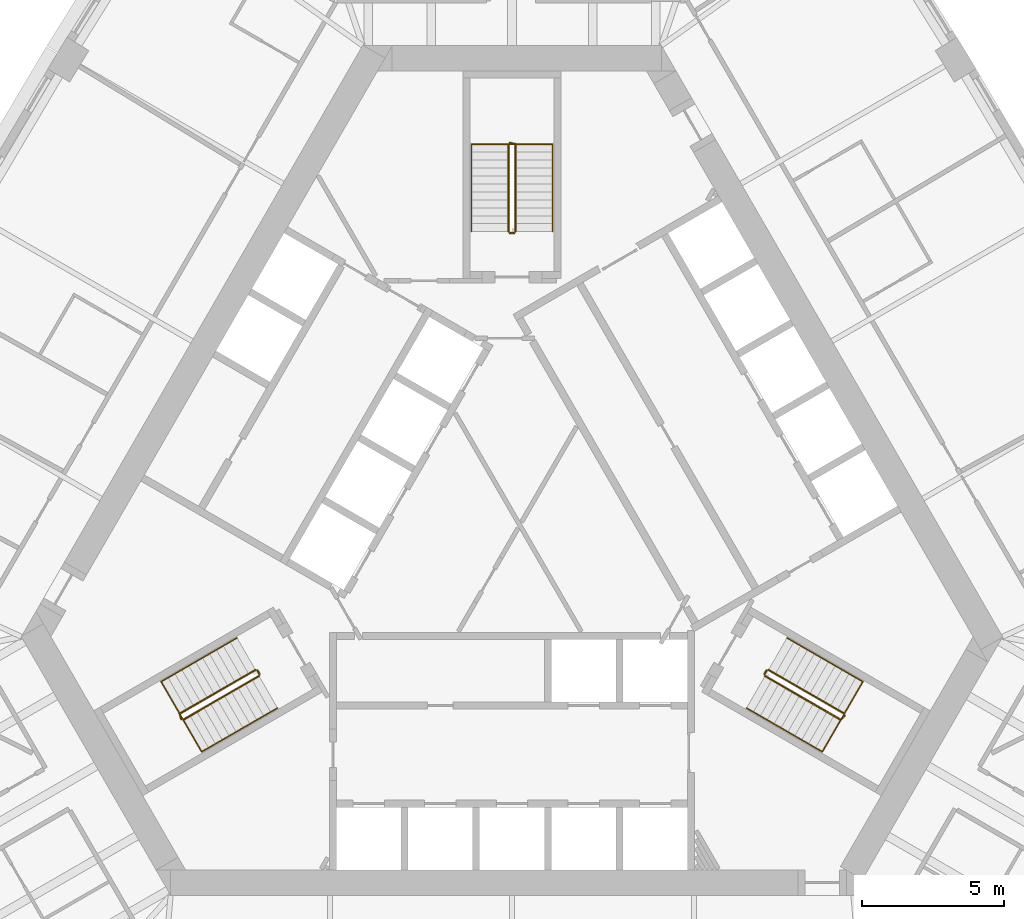
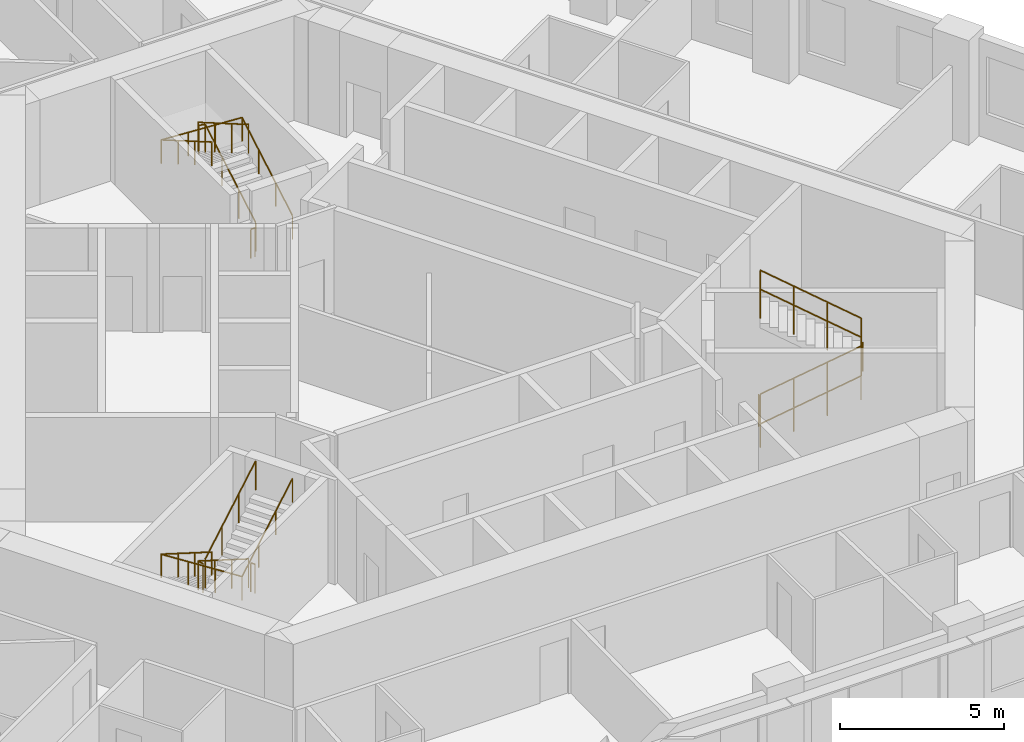
# One storey, part 12 of 12: 12 railings.
"""IFC4 building model written with IfcOpenShell, lengths in metres."""

from ifc_helpers import new_model, si_unit, direction, frame, origin, origin_2d, place, context, subcontext, project, spatial, circle, extrude, material, type_object, element, save


model = new_model("IFC4")

# Units and contexts
model_context = context("Model", 3, precision=1e-05, world=origin(), true_north=direction((0.0, 1.0)))
body_context = subcontext(model_context, "Body", "Model", "MODEL_VIEW")
ifc_project = project(units=[si_unit("LENGTHUNIT", "METRE"), si_unit("AREAUNIT", "SQUARE_METRE"), si_unit("VOLUMEUNIT", "CUBIC_METRE"), si_unit("PLANEANGLEUNIT", "RADIAN"), si_unit("MASSUNIT", "GRAM", prefix="KILO")], contexts=[model_context])

# Site, building, storey
site_placement = place(None, origin())
site = spatial("IfcSite", under=ifc_project, at=site_placement, CompositionType="ELEMENT")
building_placement = place(site_placement, origin())
building = spatial("IfcBuilding", under=site, at=building_placement, Name="Mestral Congress Tower", CompositionType="ELEMENT")
storey_placement = place(building_placement, frame((0.0, 0.0, 118.800048828125)))
storey = spatial("IfcBuildingStorey", under=building, at=storey_placement, Name="L28", CompositionType="ELEMENT", Elevation=118.800048828125)

# Railings
ifc_material_1 = material(Name="Steel balustrade", Category="steel")
railing_type_1 = type_object("IfcRailingType", Name="Stair guard 1100", PredefinedType="GUARDRAIL", material=ifc_material_1)
railing_1_placement = place(storey_placement, frame((8.90087890625, -5.283203125, 0.162353515625)))
element("IfcRailing", 1, at=railing_1_placement, inside=storey, type_object=railing_type_1, Name="L28 ST1 stair guard 1", PredefinedType="GUARDRAIL", context=body_context, shape_type="SweptSolid", body=[
    extrude(circle(Radius=0.02392578125, at=origin_2d()), frame((0.0, 0.0, 1.076171875), z_axis=(0.748993966903, -0.432462603499, 0.501980212875), x_axis=(0.500026652407, 0.866010015463, 0.0)), (0.0, 0.0, 1.0), 3.56103515625),
    extrude(circle(Radius=0.02392578125, at=origin_2d()), frame((2.667236328125, -1.5400390625, 2.86376953125), z_axis=(0.695164929852, 0.718850276695, 0.0), x_axis=(-0.718850276695, 0.695164929852, 0.0)), (0.0, 0.0, 1.0), 0.2060546875),
    extrude(circle(Radius=0.02099609375, at=origin_2d()), origin(), (0.0, 0.0, 1.0), 1.052001953125),
    extrude(circle(Radius=0.02099609375, at=origin_2d()), frame((0.88916015625, -0.513427734375, 0.595947265625)), (0.0, 0.0, 1.0), 1.052001953125),
    extrude(circle(Radius=0.02099609375, at=origin_2d()), frame((1.778076171875, -1.026611328125, 1.191650390625)), (0.0, 0.0, 1.0), 1.052001953125),
    extrude(circle(Radius=0.02099609375, at=origin_2d()), frame((2.667236328125, -1.5400390625, 1.78759765625)), (0.0, 0.0, 1.0), 1.052001953125),
    extrude(circle(Radius=0.02099609375, at=origin_2d()), frame((2.810546875, -1.391845703125, 1.78759765625)), (0.0, 0.0, 1.0), 1.052001953125),
])
railing_2_placement = place(storey_placement, frame((11.693115234375, -6.606689453125, 2.112548828125)))
element("IfcRailing", 2, at=railing_2_placement, inside=storey, type_object=railing_type_1, Name="L28 ST1 stair guard 2", PredefinedType="GUARDRAIL", context=body_context, shape_type="SweptSolid", body=[
    extrude(circle(Radius=0.02392578125, at=origin_2d()), frame((0.0, 0.0, 1.076171875), z_axis=(-0.749019742845, 0.432477486304, 0.501928927906), x_axis=(-0.500026652407, -0.866010015463, 0.0)), (0.0, 0.0, 1.0), 3.56103515625),
    extrude(circle(Radius=0.02099609375, at=origin_2d()), origin(), (0.0, 0.0, 1.0), 1.052001953125),
    extrude(circle(Radius=0.02099609375, at=origin_2d()), frame((-0.88916015625, 0.513427734375, 0.595703125)), (0.0, 0.0, 1.0), 1.052001953125),
    extrude(circle(Radius=0.02099609375, at=origin_2d()), frame((-1.778076171875, 1.026611328125, 1.191650390625)), (0.0, 0.0, 1.0), 1.052001953125),
    extrude(circle(Radius=0.02099609375, at=origin_2d()), frame((-2.667236328125, 1.5400390625, 1.787353515625)), (0.0, 0.0, 1.0), 1.052001953125),
])
railing_3_placement = place(storey_placement, frame((8.882568359375, -5.21484375, 0.0)))
element("IfcRailing", 3, at=railing_3_placement, inside=storey, type_object=railing_type_1, Name="L28 ST1 stair guard 3", PredefinedType="GUARDRAIL", context=body_context, shape_type="SweptSolid", body=[
    extrude(circle(Radius=0.02392578125, at=origin_2d()), frame((0.0, 0.0, 1.076171875), z_axis=(0.499816412211, 0.866131372301, 0.0), x_axis=(-0.866131372301, 0.499816412211, 0.0)), (0.0, 0.0, 1.0), 0.14990234375),
    extrude(circle(Radius=0.02099609375, at=origin_2d()), origin(), (0.0, 0.0, 1.0), 1.052001953125),
    extrude(circle(Radius=0.02099609375, at=origin_2d()), frame((0.074951171875, 0.1298828125, 0.0)), (0.0, 0.0, 1.0), 1.052001953125),
])
railing_4_placement = place(storey_placement, frame((0.125, 10.35009765625, 0.162353515625)))
element("IfcRailing", 4, at=railing_4_placement, inside=storey, type_object=railing_type_1, Name="L28 ST2 stair guard 1", PredefinedType="GUARDRAIL", context=body_context, shape_type="SweptSolid", body=[
    extrude(circle(Radius=0.02392578125, at=origin_2d()), frame((0.0, 0.0, 1.076171875), z_axis=(0.0, 0.864873446163, 0.501989962173), x_axis=(-1.0, 0.0, 0.0)), (0.0, 0.0, 1.0), 3.56103515625),
    extrude(circle(Radius=0.02392578125, at=origin_2d()), frame((0.0, 3.079833984375, 2.86376953125), z_axis=(-0.970072785993, 0.242814311512, 0.0), x_axis=(-0.242814311512, -0.970072785993, 0.0)), (0.0, 0.0, 1.0), 0.2060546875),
    extrude(circle(Radius=0.02099609375, at=origin_2d()), origin(), (0.0, 0.0, 1.0), 1.052001953125),
    extrude(circle(Radius=0.02099609375, at=origin_2d()), frame((0.0, 1.026611328125, 0.595947265625)), (0.0, 0.0, 1.0), 1.052001953125),
    extrude(circle(Radius=0.02099609375, at=origin_2d()), frame((0.0, 2.05322265625, 1.191650390625)), (0.0, 0.0, 1.0), 1.052001953125),
    extrude(circle(Radius=0.02099609375, at=origin_2d()), frame((0.0, 3.079833984375, 1.78759765625)), (0.0, 0.0, 1.0), 1.052001953125),
    extrude(circle(Radius=0.02099609375, at=origin_2d()), frame((-0.199951171875, 3.1298828125, 1.78759765625)), (0.0, 0.0, 1.0), 1.052001953125),
])
railing_5_placement = place(storey_placement, frame((-0.125, 13.429931640625, 2.112548828125)))
element("IfcRailing", 5, at=railing_5_placement, inside=storey, type_object=railing_type_1, Name="L28 ST2 stair guard 2", PredefinedType="GUARDRAIL", context=body_context, shape_type="SweptSolid", body=[
    extrude(circle(Radius=0.02392578125, at=origin_2d()), frame((0.0, 0.0, 1.076171875), z_axis=(0.0, -0.864903211148, 0.501938676878), x_axis=(1.0, 0.0, 0.0)), (0.0, 0.0, 1.0), 3.560791015625),
    extrude(circle(Radius=0.02099609375, at=origin_2d()), origin(), (0.0, 0.0, 1.0), 1.052001953125),
    extrude(circle(Radius=0.02099609375, at=origin_2d()), frame((0.0, -1.026611328125, 0.595703125)), (0.0, 0.0, 1.0), 1.052001953125),
    extrude(circle(Radius=0.02099609375, at=origin_2d()), frame((0.0, -2.05322265625, 1.191650390625)), (0.0, 0.0, 1.0), 1.052001953125),
    extrude(circle(Radius=0.02099609375, at=origin_2d()), frame((0.0, -3.079833984375, 1.787353515625)), (0.0, 0.0, 1.0), 1.052001953125),
])
railing_6_placement = place(storey_placement, frame((0.074951171875, 10.300048828125, 0.0)))
element("IfcRailing", 6, at=railing_6_placement, inside=storey, type_object=railing_type_1, Name="L28 ST2 stair guard 3", PredefinedType="GUARDRAIL", context=body_context, shape_type="SweptSolid", body=[
    extrude(circle(Radius=0.02392578125, at=origin_2d()), frame((0.0, 0.0, 1.076171875), z_axis=(-1.0, 0.0, 0.0), x_axis=(0.0, -1.0, 0.0)), (0.0, 0.0, 1.0), 0.14990234375),
    extrude(circle(Radius=0.02099609375, at=origin_2d()), origin(), (0.0, 0.0, 1.0), 1.052001953125),
    extrude(circle(Radius=0.02099609375, at=origin_2d()), frame((-0.14990234375, 0.0, 0.0)), (0.0, 0.0, 1.0), 1.052001953125),
])
railing_7_placement = place(storey_placement, frame((-9.02587890625, -5.066650390625, 0.162353515625)))
element("IfcRailing", 7, at=railing_7_placement, inside=storey, type_object=railing_type_1, Name="L28 ST3 stair guard 1", PredefinedType="GUARDRAIL", context=body_context, shape_type="SweptSolid", body=[
    extrude(circle(Radius=0.02392578125, at=origin_2d()), frame((0.0, 0.0, 1.076171875), z_axis=(-0.748993966903, -0.432462603499, 0.501980212875), x_axis=(0.500026652407, -0.866010015463, 0.0)), (0.0, 0.0, 1.0), 3.56103515625),
    extrude(circle(Radius=0.02392578125, at=origin_2d()), frame((-2.667236328125, -1.5400390625, 2.86376953125), z_axis=(0.274721127897, -0.961523947641, 0.0), x_axis=(0.961523947641, 0.274721127897, 0.0)), (0.0, 0.0, 1.0), 0.2060546875),
    extrude(circle(Radius=0.02099609375, at=origin_2d()), origin(), (0.0, 0.0, 1.0), 1.052001953125),
    extrude(circle(Radius=0.02099609375, at=origin_2d()), frame((-0.88916015625, -0.513427734375, 0.595947265625)), (0.0, 0.0, 1.0), 1.052001953125),
    extrude(circle(Radius=0.02099609375, at=origin_2d()), frame((-1.778076171875, -1.026611328125, 1.191650390625)), (0.0, 0.0, 1.0), 1.052001953125),
    extrude(circle(Radius=0.02099609375, at=origin_2d()), frame((-2.667236328125, -1.5400390625, 1.78759765625)), (0.0, 0.0, 1.0), 1.052001953125),
    extrude(circle(Radius=0.02099609375, at=origin_2d()), frame((-2.610595703125, -1.73828125, 1.78759765625)), (0.0, 0.0, 1.0), 1.052001953125),
])
railing_8_placement = place(storey_placement, frame((-11.568115234375, -6.8232421875, 2.112548828125)))
element("IfcRailing", 8, at=railing_8_placement, inside=storey, type_object=railing_type_1, Name="L28 ST3 stair guard 2", PredefinedType="GUARDRAIL", context=body_context, shape_type="SweptSolid", body=[
    extrude(circle(Radius=0.02392578125, at=origin_2d()), frame((0.0, 0.0, 1.076171875), z_axis=(0.749019742845, 0.432477486304, 0.501928927906), x_axis=(-0.500026652407, 0.866010015463, 0.0)), (0.0, 0.0, 1.0), 3.56103515625),
    extrude(circle(Radius=0.02099609375, at=origin_2d()), origin(), (0.0, 0.0, 1.0), 1.052001953125),
    extrude(circle(Radius=0.02099609375, at=origin_2d()), frame((0.88916015625, 0.513427734375, 0.595703125)), (0.0, 0.0, 1.0), 1.052001953125),
    extrude(circle(Radius=0.02099609375, at=origin_2d()), frame((1.778076171875, 1.026611328125, 1.191650390625)), (0.0, 0.0, 1.0), 1.052001953125),
    extrude(circle(Radius=0.02099609375, at=origin_2d()), frame((2.667236328125, 1.5400390625, 1.787353515625)), (0.0, 0.0, 1.0), 1.052001953125),
])
railing_9_placement = place(storey_placement, frame((-8.95751953125, -5.0849609375, 0.0)))
element("IfcRailing", 9, at=railing_9_placement, inside=storey, type_object=railing_type_1, Name="L28 ST3 stair guard 3", PredefinedType="GUARDRAIL", context=body_context, shape_type="SweptSolid", body=[
    extrude(circle(Radius=0.02392578125, at=origin_2d()), frame((0.0, 0.0, 1.076171875), z_axis=(0.499816412211, -0.866131372301, 0.0), x_axis=(0.866131372301, 0.499816412211, 0.0)), (0.0, 0.0, 1.0), 0.14990234375),
    extrude(circle(Radius=0.02099609375, at=origin_2d()), origin(), (0.0, 0.0, 1.0), 1.052001953125),
    extrude(circle(Radius=0.02099609375, at=origin_2d()), frame((0.074951171875, -0.1298828125, 0.0)), (0.0, 0.0, 1.0), 1.052001953125),
])
ifc_material_2 = material(Name="Steel handrail", Category="steel")
railing_type_2 = type_object("IfcRailingType", Name="Stair handrail 900", PredefinedType="HANDRAIL", material=ifc_material_2)
railing_10_placement = place(storey_placement, frame((8.2509765625, -6.4091796875, 0.162353515625)))
element("IfcRailing", 10, at=railing_10_placement, inside=storey, type_object=railing_type_2, Name="L28 ST1 stair handrail 1", PredefinedType="HANDRAIL", context=body_context, shape_type="SweptSolid", body=[
    extrude(circle(Radius=0.02392578125, at=origin_2d()), frame((0.0, 0.0, 0.8759765625), z_axis=(0.749016172816, -0.432406865167, 0.50199509541), x_axis=(0.499967199496, 0.866044340336, 0.0)), (0.0, 0.0, 1.0), 3.56103515625),
    extrude(circle(Radius=0.02392578125, at=origin_2d()), frame((2.667236328125, -1.539794921875, 2.66357421875), z_axis=(0.499224505807, 0.864598343191, 0.056961370716), x_axis=(-0.866004402611, 0.500036373335, 0.0)), (0.0, 0.0, 1.0), 2.8544921875),
    extrude(circle(Radius=0.02392578125, at=origin_2d()), frame((4.09228515625, 0.92822265625, 2.826171875), z_axis=(-0.749049836341, 0.432455278019, 0.501903153199), x_axis=(-0.499992328818, -0.866029832698, 0.0)), (0.0, 0.0, 1.0), 3.56103515625),
    extrude(circle(Radius=0.02099609375, at=origin_2d()), origin(), (0.0, 0.0, 1.0), 0.851806640625),
    extrude(circle(Radius=0.02099609375, at=origin_2d()), frame((0.88916015625, -0.51318359375, 0.595947265625)), (0.0, 0.0, 1.0), 0.851806640625),
    extrude(circle(Radius=0.02099609375, at=origin_2d()), frame((1.778076171875, -1.026611328125, 1.191650390625)), (0.0, 0.0, 1.0), 0.851806640625),
    extrude(circle(Radius=0.02099609375, at=origin_2d()), frame((2.667236328125, -1.539794921875, 1.78759765625)), (0.0, 0.0, 1.0), 0.851806640625),
    extrude(circle(Radius=0.02099609375, at=origin_2d()), frame((3.142333984375, -0.717041015625, 1.841796875)), (0.0, 0.0, 1.0), 0.851806640625),
    extrude(circle(Radius=0.02099609375, at=origin_2d()), frame((3.6171875, 0.10546875, 1.89599609375)), (0.0, 0.0, 1.0), 0.851806640625),
    extrude(circle(Radius=0.02099609375, at=origin_2d()), frame((4.09228515625, 0.92822265625, 1.9501953125)), (0.0, 0.0, 1.0), 0.851806640625),
    extrude(circle(Radius=0.02099609375, at=origin_2d()), frame((3.203125, 1.441650390625, 2.5458984375)), (0.0, 0.0, 1.0), 0.851806640625),
    extrude(circle(Radius=0.02099609375, at=origin_2d()), frame((2.31396484375, 1.954833984375, 3.141845703125)), (0.0, 0.0, 1.0), 0.851806640625),
    extrude(circle(Radius=0.02099609375, at=origin_2d()), frame((1.4248046875, 2.46826171875, 3.737548828125)), (0.0, 0.0, 1.0), 0.851806640625),
])
railing_11_placement = place(storey_placement, frame((1.425048828125, 10.35009765625, 0.162353515625)))
element("IfcRailing", 11, at=railing_11_placement, inside=storey, type_object=railing_type_2, Name="L28 ST2 stair handrail 1", PredefinedType="HANDRAIL", context=body_context, shape_type="SweptSolid", body=[
    extrude(circle(Radius=0.02392578125, at=origin_2d()), frame((0.0, 0.0, 0.8759765625), z_axis=(0.0, 0.864873446163, 0.501989962173), x_axis=(-1.0, 0.0, 0.0)), (0.0, 0.0, 1.0), 3.56103515625),
    extrude(circle(Radius=0.02392578125, at=origin_2d()), frame((0.0, 3.079833984375, 2.66357421875), z_axis=(-0.998376618682, 0.0, 0.056957240709), x_axis=(0.0, -1.0, 0.0)), (0.0, 0.0, 1.0), 2.854736328125),
    extrude(circle(Radius=0.02392578125, at=origin_2d()), frame((-2.85009765625, 3.079833984375, 2.826171875), z_axis=(0.0, -0.864903211148, 0.501938676878), x_axis=(1.0, 0.0, 0.0)), (0.0, 0.0, 1.0), 3.560791015625),
    extrude(circle(Radius=0.02099609375, at=origin_2d()), origin(), (0.0, 0.0, 1.0), 0.851806640625),
    extrude(circle(Radius=0.02099609375, at=origin_2d()), frame((0.0, 1.026611328125, 0.595947265625)), (0.0, 0.0, 1.0), 0.851806640625),
    extrude(circle(Radius=0.02099609375, at=origin_2d()), frame((0.0, 2.05322265625, 1.191650390625)), (0.0, 0.0, 1.0), 0.851806640625),
    extrude(circle(Radius=0.02099609375, at=origin_2d()), frame((0.0, 3.079833984375, 1.78759765625)), (0.0, 0.0, 1.0), 0.851806640625),
    extrude(circle(Radius=0.02099609375, at=origin_2d()), frame((-0.949951171875, 3.079833984375, 1.841796875)), (0.0, 0.0, 1.0), 0.851806640625),
    extrude(circle(Radius=0.02099609375, at=origin_2d()), frame((-1.900146484375, 3.079833984375, 1.89599609375)), (0.0, 0.0, 1.0), 0.851806640625),
    extrude(circle(Radius=0.02099609375, at=origin_2d()), frame((-2.85009765625, 3.079833984375, 1.9501953125)), (0.0, 0.0, 1.0), 0.851806640625),
    extrude(circle(Radius=0.02099609375, at=origin_2d()), frame((-2.85009765625, 2.05322265625, 2.5458984375)), (0.0, 0.0, 1.0), 0.851806640625),
    extrude(circle(Radius=0.02099609375, at=origin_2d()), frame((-2.85009765625, 1.026611328125, 3.141845703125)), (0.0, 0.0, 1.0), 0.851806640625),
    extrude(circle(Radius=0.02099609375, at=origin_2d()), frame((-2.85009765625, 0.0, 3.737548828125)), (0.0, 0.0, 1.0), 0.851806640625),
])
railing_12_placement = place(storey_placement, frame((-9.67578125, -3.94091796875, 0.162353515625)))
element("IfcRailing", 12, at=railing_12_placement, inside=storey, type_object=railing_type_2, Name="L28 ST3 stair handrail 1", PredefinedType="HANDRAIL", context=body_context, shape_type="SweptSolid", body=[
    extrude(circle(Radius=0.02392578125, at=origin_2d()), frame((0.0, 0.0, 0.8759765625), z_axis=(-0.74902406201, -0.432440397507, 0.501954437309), x_axis=(0.499992328818, -0.866029832698, 0.0)), (0.0, 0.0, 1.0), 3.561279296875),
    extrude(circle(Radius=0.02392578125, at=origin_2d()), frame((-2.66748046875, -1.5400390625, 2.66357421875), z_axis=(0.499224505807, -0.864598343191, 0.056961370716), x_axis=(0.866004402611, 0.500036373335, 0.0)), (0.0, 0.0, 1.0), 2.8544921875),
    extrude(circle(Radius=0.02392578125, at=origin_2d()), frame((-1.242431640625, -4.008056640625, 2.826171875), z_axis=(0.749041951051, 0.432421746936, 0.501943809945), x_axis=(-0.499967199496, 0.866044340336, 0.0)), (0.0, 0.0, 1.0), 3.560791015625),
    extrude(circle(Radius=0.02099609375, at=origin_2d()), origin(), (0.0, 0.0, 1.0), 0.851806640625),
    extrude(circle(Radius=0.02099609375, at=origin_2d()), frame((-0.88916015625, -0.513427734375, 0.595947265625)), (0.0, 0.0, 1.0), 0.851806640625),
    extrude(circle(Radius=0.02099609375, at=origin_2d()), frame((-1.7783203125, -1.026611328125, 1.191650390625)), (0.0, 0.0, 1.0), 0.851806640625),
    extrude(circle(Radius=0.02099609375, at=origin_2d()), frame((-2.66748046875, -1.5400390625, 1.78759765625)), (0.0, 0.0, 1.0), 0.851806640625),
    extrude(circle(Radius=0.02099609375, at=origin_2d()), frame((-2.1923828125, -2.36279296875, 1.841796875)), (0.0, 0.0, 1.0), 0.851806640625),
    extrude(circle(Radius=0.02099609375, at=origin_2d()), frame((-1.717529296875, -3.185302734375, 1.89599609375)), (0.0, 0.0, 1.0), 0.851806640625),
    extrude(circle(Radius=0.02099609375, at=origin_2d()), frame((-1.242431640625, -4.008056640625, 1.9501953125)), (0.0, 0.0, 1.0), 0.851806640625),
    extrude(circle(Radius=0.02099609375, at=origin_2d()), frame((-0.353271484375, -3.494873046875, 2.5458984375)), (0.0, 0.0, 1.0), 0.851806640625),
    extrude(circle(Radius=0.02099609375, at=origin_2d()), frame((0.53564453125, -2.9814453125, 3.141845703125)), (0.0, 0.0, 1.0), 0.851806640625),
    extrude(circle(Radius=0.02099609375, at=origin_2d()), frame((1.4248046875, -2.46826171875, 3.737548828125)), (0.0, 0.0, 1.0), 0.851806640625),
])

save(model, "model.ifc")
